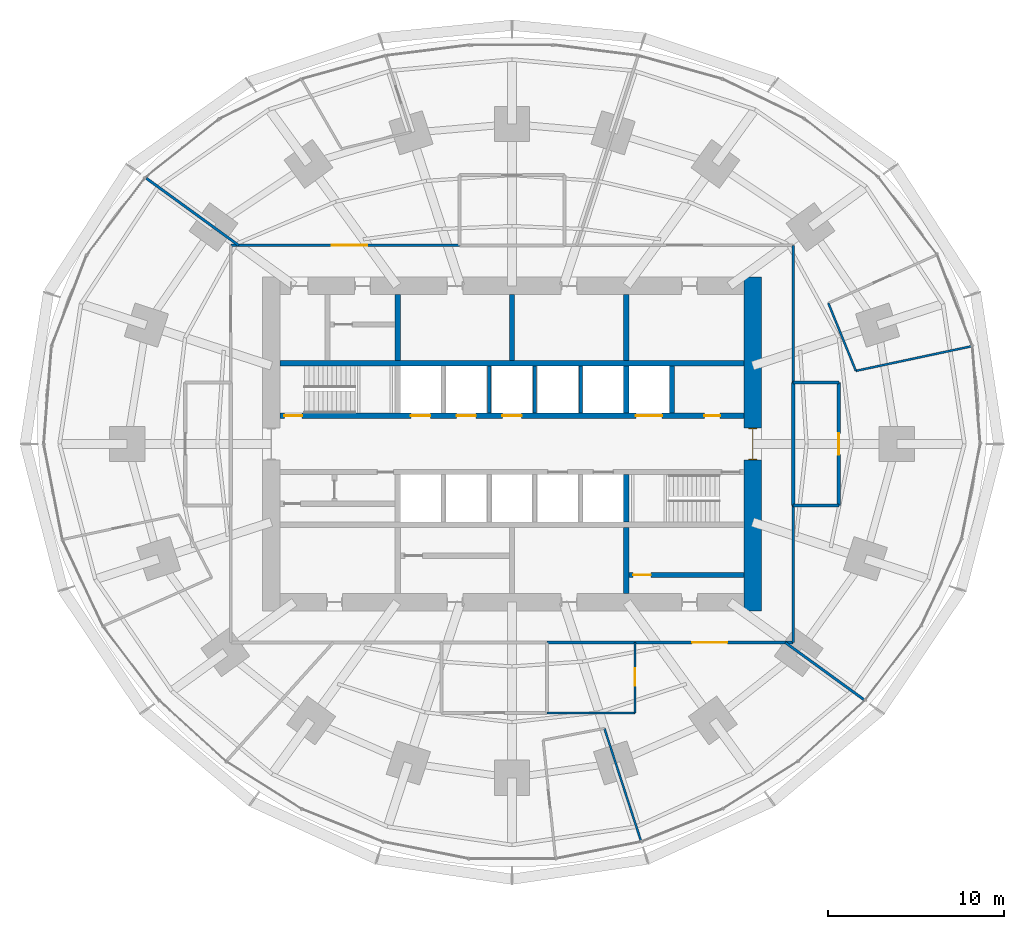
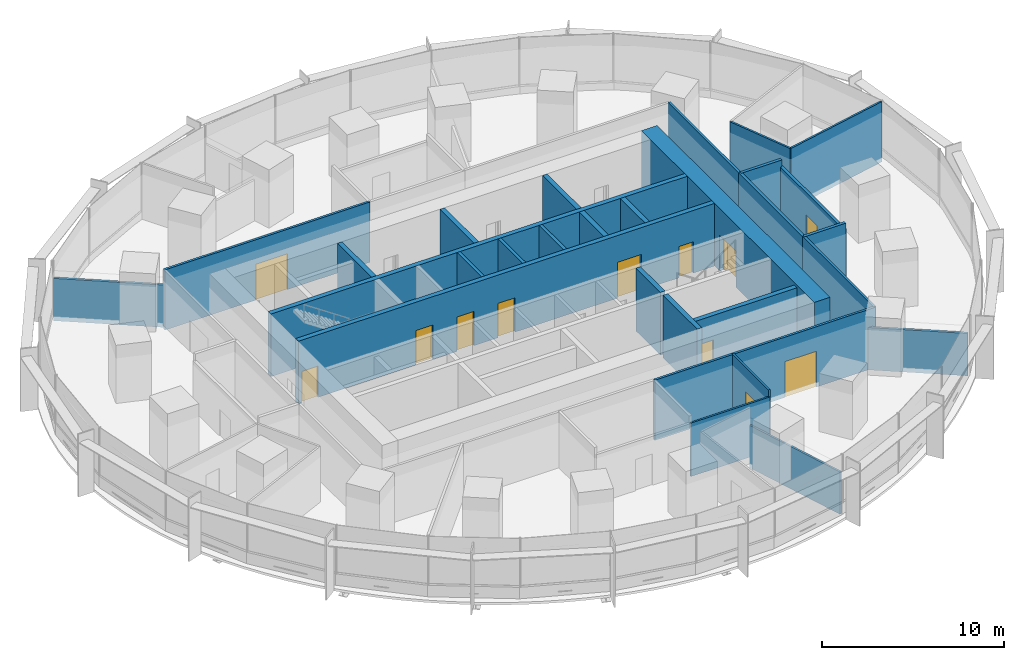
# One storey, part 12 of 15: 29 walls, 12 doors, 12 openings.
"""IFC4 building model written with IfcOpenShell, lengths in metres."""

from ifc_helpers import new_model, si_unit, direction, frame, frame_2d, origin, place, context, subcontext, project, spatial, rectangle, extrude, material, layer, layer_set, type_object, element, fill, save


model = new_model("IFC4")

# Units and contexts
model_context = context("Model", 3, precision=1e-05, world=origin(), true_north=direction((0.0, 1.0)))
body_context = subcontext(model_context, "Body", "Model", "MODEL_VIEW")
ifc_project = project(units=[si_unit("LENGTHUNIT", "METRE"), si_unit("AREAUNIT", "SQUARE_METRE"), si_unit("VOLUMEUNIT", "CUBIC_METRE"), si_unit("PLANEANGLEUNIT", "RADIAN"), si_unit("MASSUNIT", "GRAM", prefix="KILO")], contexts=[model_context])

# Site, building, storey
site_placement = place(None, origin())
site = spatial("IfcSite", under=ifc_project, at=site_placement, CompositionType="ELEMENT")
building_placement = place(site_placement, origin())
building = spatial("IfcBuilding", under=site, at=building_placement, Name="Marramba Exchange Tower", CompositionType="ELEMENT")
storey_placement = place(building_placement, frame((0.0, 0.0, 65.800048828125)))
storey = spatial("IfcBuildingStorey", under=building, at=storey_placement, Name="L15", CompositionType="ELEMENT", Elevation=65.800048828125)

# Walls
ifc_material_1 = material(Name="Concrete N50", Category="concrete")
ifc_layer_1 = layer(ifc_material_1, 0.199951171875)
ifc_layer_set_1 = layer_set([ifc_layer_1], Name="Core shaft wall 200")
wall_type_1 = type_object("IfcWallType", Name="Core shaft wall 200", PredefinedType="SHEAR", material=ifc_layer_set_1)
for number, where, z_axis, x_axis, name in (
    (1, (-1.300048828125, 1.75, 0.0), (0.0, 0.0, 1.0), (0.0, 1.0, 0.0), "Core wall SHN2 L15"),
    (2, (1.300048828125, 1.75, 0.0), (0.0, 0.0, 1.0), (0.0, 1.0, 0.0), "Core wall SHN3 L15"),
    (3, (3.89990234375, 1.75, 0.0), (0.0, 0.0, 1.0), (0.0, 1.0, 0.0), "Core wall SHN4 L15"),
):
    element("IfcWall", number, at=place(storey_placement, frame(where, z_axis=z_axis, x_axis=x_axis)), inside=storey, type_object=wall_type_1, Name=name, PredefinedType="SHEAR", context=body_context, shape_type="SweptSolid", body=[
        extrude(rectangle(XDim=2.699951171875, YDim=0.199951171875, at=frame_2d((1.35009765625, 0.0))), origin(), (0.0, 0.0, 1.0), 4.199951171875),
    ])

# Wall, opening, door
ifc_layer_2 = layer(ifc_material_1, 1.0)
ifc_layer_set_2 = layer_set([ifc_layer_2], Name="Core wall 1000")
wall_type_2 = type_object("IfcWallType", Name="Core wall 1000", PredefinedType="SHEAR", material=ifc_layer_set_2)
wall_1_placement = place(storey_placement, frame((13.699951171875, -9.5, 0.0), z_axis=(0.0, 0.0, 1.0), x_axis=(0.0, 1.0, 0.0)))
wall_1 = element("IfcWall", 4, at=wall_1_placement, inside=storey, type_object=wall_type_2, Name="Core wall E L15", PredefinedType="SHEAR", context=body_context, shape_type="SweptSolid", body=[
    extrude(rectangle(XDim=19.0, YDim=1.0, at=frame_2d((9.5, 0.0))), origin(), (0.0, 0.0, 1.0), 4.199951171875),
])
opening_1_placement = place(wall_1_placement, frame((8.60009765625, 0.0, 0.0)))
opening_1 = element("IfcOpeningElement", 5, at=opening_1_placement, cuts=wall_1, Name="Opening D1", PredefinedType="OPENING", context=body_context, shape_type="SweptSolid", body=[
    extrude(rectangle(XDim=1.800048828125, YDim=2.39990234375, at=frame_2d((0.89990234375, 1.199951171875))), frame((0.0, 0.510009765625, 0.0), z_axis=(0.0, -1.0, 0.0), x_axis=(1.0, 0.0, 0.0)), (0.0, 0.0, 1.0), 1.02001953125),
])
ifc_material_2 = material(Name="Steel-framed door", Category="steel")
door_type_1 = type_object("IfcDoorType", Name="Lobby exit door 1800x2400", OperationType="DOUBLE_DOOR_SINGLE_SWING", PredefinedType="DOOR", material=ifc_material_2)
door_1_placement = place(opening_1_placement, origin())
door_1 = element("IfcDoor", 6, at=door_1_placement, inside=storey, type_object=door_type_1, Name="D1 lobby exit east L15", OperationType="DOUBLE_DOOR_SINGLE_SWING", OverallHeight=2.39990234375, OverallWidth=1.800048828125, PredefinedType="DOOR", context=body_context, shape_type="SweptSolid", body=[
    extrude(rectangle(XDim=1.719970703125, YDim=2.35986328125, at=frame_2d((0.89990234375, 1.179931640625))), frame((0.0, 0.02490234375, 0.0), z_axis=(0.0, -1.0, 0.0), x_axis=(1.0, 0.0, 0.0)), (0.0, 0.0, 1.0), 0.050048828125),
    extrude(rectangle(XDim=0.04, YDim=2.39990234375, at=frame_2d((0.02001953125, 1.199951171875))), frame((0.0, 0.25, 0.0), z_axis=(0.0, -1.0, 0.0), x_axis=(1.0, 0.0, 0.0)), (0.0, 0.0, 1.0), 0.5),
    extrude(rectangle(XDim=0.04, YDim=2.39990234375, at=frame_2d((1.780029296875, 1.199951171875))), frame((0.0, 0.25, 0.0), z_axis=(0.0, -1.0, 0.0), x_axis=(1.0, 0.0, 0.0)), (0.0, 0.0, 1.0), 0.5),
    extrude(rectangle(XDim=1.719970703125, YDim=0.04, at=frame_2d((0.89990234375, 2.3798828125))), frame((0.0, 0.25, 0.0), z_axis=(0.0, -1.0, 0.0), x_axis=(1.0, 0.0, 0.0)), (0.0, 0.0, 1.0), 0.5),
])
fill(opening_1, door_1)

# Wall, openings, doors
ifc_layer_3 = layer(ifc_material_1, 0.300048828125)
ifc_layer_set_3 = layer_set([ifc_layer_3], Name="Core wall 300")
wall_type_3 = type_object("IfcWallType", Name="Core wall 300", PredefinedType="SHEAR", material=ifc_layer_set_3)
wall_2_placement = place(storey_placement, frame((-13.199951171875, 1.60009765625, 0.0), z_axis=(0.0, 0.0, 1.0), x_axis=(1.0, 0.0, 0.0)))
wall_2 = element("IfcWall", 7, at=wall_2_placement, inside=storey, type_object=wall_type_3, Name="Core wall LN L15", PredefinedType="SHEAR", context=body_context, shape_type="SweptSolid", body=[
    extrude(rectangle(XDim=26.39990234375, YDim=0.300048828125, at=frame_2d((13.199951171875, 0.0))), origin(), (0.0, 0.0, 1.0), 4.199951171875),
])
opening_2_placement = place(wall_2_placement, frame((0.25, 0.0, 0.0)))
opening_2 = element("IfcOpeningElement", 8, at=opening_2_placement, cuts=wall_2, Name="Opening D2", PredefinedType="OPENING", context=body_context, shape_type="SweptSolid", body=[
    extrude(rectangle(XDim=1.0, YDim=2.10009765625, at=frame_2d((0.5, 1.050048828125))), frame((0.0, 0.159912109375, 0.0), z_axis=(0.0, -1.0, 0.0), x_axis=(1.0, 0.0, 0.0)), (0.0, 0.0, 1.0), 0.320068359375),
])
opening_3_placement = place(wall_2_placement, frame((20.25, 0.0, 0.0)))
opening_3 = element("IfcOpeningElement", 9, at=opening_3_placement, cuts=wall_2, Name="Opening LD3", PredefinedType="OPENING", context=body_context, shape_type="SweptSolid", body=[
    extrude(rectangle(XDim=1.5, YDim=2.39990234375, at=frame_2d((0.75, 1.199951171875))), frame((0.0, 0.159912109375, 0.0), z_axis=(0.0, -1.0, 0.0), x_axis=(1.0, 0.0, 0.0)), (0.0, 0.0, 1.0), 0.320068359375),
])
opening_4_placement = place(wall_2_placement, frame((7.449951171875, 0.0, 0.0)))
opening_4 = element("IfcOpeningElement", 10, at=opening_4_placement, cuts=wall_2, Name="Opening LD1", PredefinedType="OPENING", context=body_context, shape_type="SweptSolid", body=[
    extrude(rectangle(XDim=1.10009765625, YDim=2.300048828125, at=frame_2d((0.550048828125, 1.14990234375))), frame((0.0, 0.159912109375, 0.0), z_axis=(0.0, -1.0, 0.0), x_axis=(1.0, 0.0, 0.0)), (0.0, 0.0, 1.0), 0.320068359375),
])
opening_5_placement = place(wall_2_placement, frame((10.050048828125, 0.0, 0.0)))
opening_5 = element("IfcOpeningElement", 11, at=opening_5_placement, cuts=wall_2, Name="Opening LD1", PredefinedType="OPENING", context=body_context, shape_type="SweptSolid", body=[
    extrude(rectangle(XDim=1.10009765625, YDim=2.300048828125, at=frame_2d((0.550048828125, 1.14990234375))), frame((0.0, 0.159912109375, 0.0), z_axis=(0.0, -1.0, 0.0), x_axis=(1.0, 0.0, 0.0)), (0.0, 0.0, 1.0), 0.320068359375),
])
opening_6_placement = place(wall_2_placement, frame((12.64990234375, 0.0, 0.0)))
opening_6 = element("IfcOpeningElement", 12, at=opening_6_placement, cuts=wall_2, Name="Opening LD1", PredefinedType="OPENING", context=body_context, shape_type="SweptSolid", body=[
    extrude(rectangle(XDim=1.10009765625, YDim=2.300048828125, at=frame_2d((0.550048828125, 1.14990234375))), frame((0.0, 0.159912109375, 0.0), z_axis=(0.0, -1.0, 0.0), x_axis=(1.0, 0.0, 0.0)), (0.0, 0.0, 1.0), 0.320068359375),
])
opening_7_placement = place(wall_2_placement, frame((24.14990234375, 0.0, 0.0)))
opening_7 = element("IfcOpeningElement", 13, at=opening_7_placement, cuts=wall_2, Name="Opening D5", PredefinedType="OPENING", context=body_context, shape_type="SweptSolid", body=[
    extrude(rectangle(XDim=0.89990234375, YDim=2.10009765625, at=frame_2d((0.449951171875, 1.050048828125))), frame((0.0, 0.159912109375, 0.0), z_axis=(0.0, -1.0, 0.0), x_axis=(1.0, 0.0, 0.0)), (0.0, 0.0, 1.0), 0.320068359375),
])
door_type_2 = type_object("IfcDoorType", Name="Goods lift landing door 1500x2400", OperationType="SLIDING_TO_LEFT", PredefinedType="DOOR", material=ifc_material_2)
door_2_placement = place(opening_3_placement, origin())
door_2 = element("IfcDoor", 14, at=door_2_placement, inside=storey, type_object=door_type_2, Name="GL1 landing door L15", OperationType="SLIDING_TO_LEFT", OverallHeight=2.39990234375, OverallWidth=1.5, PredefinedType="DOOR", context=body_context, shape_type="SweptSolid", body=[
    extrude(rectangle(XDim=1.5, YDim=2.39990234375, at=frame_2d((0.75, 1.199951171875))), frame((0.0, 0.02490234375, 0.0), z_axis=(0.0, -1.0, 0.0), x_axis=(1.0, 0.0, 0.0)), (0.0, 0.0, 1.0), 0.050048828125),
])
fill(opening_3, door_2)
door_type_3 = type_object("IfcDoorType", Name="Lift landing door 1100x2300", OperationType="SLIDING_TO_LEFT", PredefinedType="DOOR", material=ifc_material_2)
door_3_placement = place(opening_4_placement, origin())
door_3 = element("IfcDoor", 15, at=door_3_placement, inside=storey, type_object=door_type_3, Name="LA1 landing door L15", OperationType="SLIDING_TO_LEFT", OverallHeight=2.300048828125, OverallWidth=1.10009765625, PredefinedType="DOOR", context=body_context, shape_type="SweptSolid", body=[
    extrude(rectangle(XDim=1.10009765625, YDim=2.300048828125, at=frame_2d((0.550048828125, 1.14990234375))), frame((0.0, 0.02490234375, 0.0), z_axis=(0.0, -1.0, 0.0), x_axis=(1.0, 0.0, 0.0)), (0.0, 0.0, 1.0), 0.050048828125),
])
fill(opening_4, door_3)
door_4_placement = place(opening_5_placement, origin())
door_4 = element("IfcDoor", 16, at=door_4_placement, inside=storey, type_object=door_type_3, Name="LA2 landing door L15", OperationType="SLIDING_TO_LEFT", OverallHeight=2.300048828125, OverallWidth=1.10009765625, PredefinedType="DOOR", context=body_context, shape_type="SweptSolid", body=[
    extrude(rectangle(XDim=1.10009765625, YDim=2.300048828125, at=frame_2d((0.550048828125, 1.14990234375))), frame((0.0, 0.02490234375, 0.0), z_axis=(0.0, -1.0, 0.0), x_axis=(1.0, 0.0, 0.0)), (0.0, 0.0, 1.0), 0.050048828125),
])
fill(opening_5, door_4)
door_5_placement = place(opening_6_placement, origin())
door_5 = element("IfcDoor", 17, at=door_5_placement, inside=storey, type_object=door_type_3, Name="LA3 landing door L15", OperationType="SLIDING_TO_RIGHT", OverallHeight=2.300048828125, OverallWidth=1.10009765625, PredefinedType="DOOR", context=body_context, shape_type="SweptSolid", body=[
    extrude(rectangle(XDim=1.10009765625, YDim=2.300048828125, at=frame_2d((0.550048828125, 1.14990234375))), frame((0.0, 0.02490234375, 0.0), z_axis=(0.0, -1.0, 0.0), x_axis=(1.0, 0.0, 0.0)), (0.0, 0.0, 1.0), 0.050048828125),
])
fill(opening_6, door_5)
door_type_4 = type_object("IfcDoorType", Name="Service door 900x2100", OperationType="SINGLE_SWING_LEFT", PredefinedType="DOOR", material=ifc_material_2)
door_6_placement = place(opening_7_placement, origin())
door_6 = element("IfcDoor", 18, at=door_6_placement, inside=storey, type_object=door_type_4, Name="D5 riser L15", OperationType="SINGLE_SWING_RIGHT", OverallHeight=2.10009765625, OverallWidth=0.89990234375, PredefinedType="DOOR", context=body_context, shape_type="SweptSolid", body=[
    extrude(rectangle(XDim=0.89990234375, YDim=2.10009765625, at=frame_2d((0.449951171875, 1.050048828125))), frame((0.0, 0.02490234375, 0.0), z_axis=(0.0, -1.0, 0.0), x_axis=(1.0, 0.0, 0.0)), (0.0, 0.0, 1.0), 0.050048828125),
])
fill(opening_7, door_6)
door_type_5 = type_object("IfcDoorType", Name="Stair door 1000x2100", OperationType="SINGLE_SWING_LEFT", PredefinedType="DOOR", material=ifc_material_2)
door_7_placement = place(opening_2_placement, origin())
door_7 = element("IfcDoor", 19, at=door_7_placement, inside=storey, type_object=door_type_5, Name="D2 stair ST1 L15", OperationType="SINGLE_SWING_LEFT", OverallHeight=2.10009765625, OverallWidth=1.0, PredefinedType="DOOR", context=body_context, shape_type="SweptSolid", body=[
    extrude(rectangle(XDim=1.0, YDim=2.10009765625, at=frame_2d((0.5, 1.050048828125))), frame((0.0, 0.02490234375, 0.0), z_axis=(0.0, -1.0, 0.0), x_axis=(1.0, 0.0, 0.0)), (0.0, 0.0, 1.0), 0.050048828125),
])
fill(opening_2, door_7)

# Walls
wall_3_placement = place(storey_placement, frame((-13.199951171875, 4.60009765625, 0.0), z_axis=(0.0, 0.0, 1.0), x_axis=(1.0, 0.0, 0.0)))
element("IfcWall", 20, at=wall_3_placement, inside=storey, type_object=wall_type_3, Name="Core wall BN L15", PredefinedType="SHEAR", context=body_context, shape_type="SweptSolid", body=[
    extrude(rectangle(XDim=26.39990234375, YDim=0.300048828125, at=frame_2d((13.199951171875, 0.0))), origin(), (0.0, 0.0, 1.0), 4.199951171875),
])
wall_4_placement = place(storey_placement, frame((-6.5, 4.75, 0.0), z_axis=(0.0, 0.0, 1.0), x_axis=(0.0, 1.0, 0.0)))
element("IfcWall", 21, at=wall_4_placement, inside=storey, type_object=wall_type_3, Name="Core wall X0Nb L15", PredefinedType="SHEAR", context=body_context, shape_type="SweptSolid", body=[
    extrude(rectangle(XDim=3.75, YDim=0.300048828125, at=frame_2d((1.875, 0.0))), origin(), (0.0, 0.0, 1.0), 4.199951171875),
])
wall_5_placement = place(storey_placement, frame((6.5, 1.75, 0.0), z_axis=(0.0, 0.0, 1.0), x_axis=(0.0, 1.0, 0.0)))
element("IfcWall", 22, at=wall_5_placement, inside=storey, type_object=wall_type_3, Name="Core wall X1Na L15", PredefinedType="SHEAR", context=body_context, shape_type="SweptSolid", body=[
    extrude(rectangle(XDim=2.699951171875, YDim=0.300048828125, at=frame_2d((1.35009765625, 0.0))), origin(), (0.0, 0.0, 1.0), 4.199951171875),
])
for number, where, z_axis, x_axis, name in (
    (23, (6.5, 4.75, 0.0), (0.0, 0.0, 1.0), (0.0, 1.0, 0.0), "Core wall X1Nb L15"),
    (24, (0.0, 4.75, 0.0), (0.0, 0.0, 1.0), (0.0, 1.0, 0.0), "Core wall MN L15"),
):
    element("IfcWall", number, at=place(storey_placement, frame(where, z_axis=z_axis, x_axis=x_axis)), inside=storey, type_object=wall_type_3, Name=name, PredefinedType="SHEAR", context=body_context, shape_type="SweptSolid", body=[
        extrude(rectangle(XDim=3.75, YDim=0.300048828125, at=frame_2d((1.875, 0.0))), origin(), (0.0, 0.0, 1.0), 4.199951171875),
    ])
wall_6_placement = place(storey_placement, frame((6.5, -1.75, 0.0), z_axis=(0.0, 0.0, 1.0), x_axis=(0.0, -1.0, 0.0)))
element("IfcWall", 25, at=wall_6_placement, inside=storey, type_object=wall_type_3, Name="Core wall X1Sa L15", PredefinedType="SHEAR", context=body_context, shape_type="SweptSolid", body=[
    extrude(rectangle(XDim=2.699951171875, YDim=0.300048828125, at=frame_2d((1.35009765625, 0.0))), origin(), (0.0, 0.0, 1.0), 4.199951171875),
])
wall_7_placement = place(storey_placement, frame((6.5, -4.75, 0.0), z_axis=(0.0, 0.0, 1.0), x_axis=(0.0, -1.0, 0.0)))
element("IfcWall", 26, at=wall_7_placement, inside=storey, type_object=wall_type_3, Name="Core wall X1Sb L15", PredefinedType="SHEAR", context=body_context, shape_type="SweptSolid", body=[
    extrude(rectangle(XDim=3.75, YDim=0.300048828125, at=frame_2d((1.875, 0.0))), origin(), (0.0, 0.0, 1.0), 4.199951171875),
])
wall_8_placement = place(storey_placement, frame((9.10009765625, 1.75, 0.0), z_axis=(0.0, 0.0, 1.0), x_axis=(0.0, 1.0, 0.0)))
element("IfcWall", 27, at=wall_8_placement, inside=storey, type_object=wall_type_3, Name="Core wall ED L15", PredefinedType="SHEAR", context=body_context, shape_type="SweptSolid", body=[
    extrude(rectangle(XDim=2.699951171875, YDim=0.300048828125, at=frame_2d((1.35009765625, 0.0))), origin(), (0.0, 0.0, 1.0), 4.199951171875),
])
ifc_material_3 = material(Name="Core-filled concrete blockwork, rendered", Category="masonry")
ifc_layer_4 = layer(ifc_material_3, 0.18994140625)
ifc_layer_set_4 = layer_set([ifc_layer_4], Name="Equipment room wall 190")
wall_type_4 = type_object("IfcWallType", Name="Equipment room wall 190", PredefinedType="SOLIDWALL", material=ifc_layer_set_4)
wall_9_placement = place(storey_placement, frame((16.0, -3.5, 0.0), z_axis=(0.0, 0.0, 1.0), x_axis=(1.0, 0.0, 0.0)))
element("IfcWall", 28, at=wall_9_placement, inside=storey, type_object=wall_type_4, Name="Equipment room wall L15 20", PredefinedType="SOLIDWALL", context=body_context, shape_type="SweptSolid", body=[
    extrude(rectangle(XDim=2.60009765625, YDim=0.18994140625, at=frame_2d((1.300048828125, 0.0))), origin(), (0.0, 0.0, 1.0), 4.0400390625),
])
wall_10_placement = place(storey_placement, frame((16.0, 3.5, 0.0), z_axis=(0.0, 0.0, 1.0), x_axis=(0.0, -1.0, 0.0)))
element("IfcWall", 29, at=wall_10_placement, inside=storey, type_object=wall_type_4, Name="Equipment room wall L15 21", PredefinedType="SOLIDWALL", context=body_context, shape_type="SweptSolid", body=[
    extrude(rectangle(XDim=7.0, YDim=0.18994140625, at=frame_2d((3.5, 0.0))), origin(), (0.0, 0.0, 1.0), 4.0400390625),
])

# Wall, opening, door
wall_11_placement = place(storey_placement, frame((18.60009765625, -3.5, 0.0), z_axis=(0.0, 0.0, 1.0), x_axis=(0.0, 1.0, 0.0)))
wall_11 = element("IfcWall", 30, at=wall_11_placement, inside=storey, type_object=wall_type_4, Name="Equipment room wall L15 22", PredefinedType="SOLIDWALL", context=body_context, shape_type="SweptSolid", body=[
    extrude(rectangle(XDim=7.0, YDim=0.18994140625, at=frame_2d((3.5, 0.0))), origin(), (0.0, 0.0, 1.0), 3.5859375),
])
opening_8_placement = place(wall_11_placement, frame((2.89990234375, 0.0, 0.0)))
opening_8 = element("IfcOpeningElement", 31, at=opening_8_placement, cuts=wall_11, Name="Opening D16", PredefinedType="OPENING", context=body_context, shape_type="SweptSolid", body=[
    extrude(rectangle(XDim=1.199951171875, YDim=2.10009765625, at=frame_2d((0.60009765625, 1.050048828125))), frame((0.0, 0.10498046875, 0.0), z_axis=(0.0, -1.0, 0.0), x_axis=(1.0, 0.0, 0.0)), (0.0, 0.0, 1.0), 0.2099609375),
])
door_type_6 = type_object("IfcDoorType", Name="Equipment room door 1200x2100", OperationType="SINGLE_SWING_LEFT", PredefinedType="DOOR", material=ifc_material_2)
door_8_placement = place(opening_8_placement, origin())
door_8 = element("IfcDoor", 32, at=door_8_placement, inside=storey, type_object=door_type_6, Name="D16 Data Room 1 L15", OperationType="SINGLE_SWING_RIGHT", OverallHeight=2.10009765625, OverallWidth=1.199951171875, PredefinedType="DOOR", context=body_context, shape_type="SweptSolid", body=[
    extrude(rectangle(XDim=1.199951171875, YDim=2.10009765625, at=frame_2d((0.60009765625, 1.050048828125))), frame((0.0, 0.02490234375, 0.0), z_axis=(0.0, -1.0, 0.0), x_axis=(1.0, 0.0, 0.0)), (0.0, 0.0, 1.0), 0.050048828125),
])
fill(opening_8, door_8)

# Walls
wall_12_placement = place(storey_placement, frame((18.60009765625, 3.5, 0.0), z_axis=(0.0, 0.0, 1.0), x_axis=(-1.0, 0.0, 0.0)))
element("IfcWall", 33, at=wall_12_placement, inside=storey, type_object=wall_type_4, Name="Equipment room wall L15 23", PredefinedType="SOLIDWALL", context=body_context, shape_type="SweptSolid", body=[
    extrude(rectangle(XDim=2.60009765625, YDim=0.18994140625, at=frame_2d((1.300048828125, 0.0))), origin(), (0.0, 0.0, 1.0), 4.0400390625),
])
ifc_material_4 = material(Name="Plasterboard on steel studs", Category="steel")
ifc_layer_5 = layer(ifc_material_4, 0.1201171875)
ifc_layer_set_5 = layer_set([ifc_layer_5], Name="Partition 120")
wall_type_5 = type_object("IfcWallType", Name="Partition 120", PredefinedType="PARTITIONING", material=ifc_layer_set_5)
wall_13_placement = place(storey_placement, frame((2.0, -15.300048828125, 0.0), z_axis=(0.0, 0.0, 1.0), x_axis=(1.0, 0.0, 0.0)))
element("IfcWall", 34, at=wall_13_placement, inside=storey, type_object=wall_type_5, Name="Partition L15 14", PredefinedType="PARTITIONING", context=body_context, shape_type="SweptSolid", body=[
    extrude(rectangle(XDim=5.0, YDim=0.1201171875, at=frame_2d((2.5, 0.0))), origin(), (0.0, 0.0, 1.0), 3.5859375),
])
wall_14_placement = place(storey_placement, frame((7.330078125, -22.56005859375, 0.0), z_axis=(0.0, 0.0, 1.0), x_axis=(-0.309003676349, 0.951060843481, 0.0)))
element("IfcWall", 35, at=wall_14_placement, inside=storey, type_object=wall_type_5, Name="Partition L15 15", PredefinedType="PARTITIONING", context=body_context, shape_type="SweptSolid", body=[
    extrude(rectangle(XDim=6.699951171875, YDim=0.1201171875, at=frame_2d((3.35009765625, 0.0))), origin(), (0.0, 0.0, 1.0), 2.83984375),
])

# Wall, opening, door
wall_15_placement = place(storey_placement, frame((7.0, -15.300048828125, 0.0), z_axis=(0.0, 0.0, 1.0), x_axis=(0.0, 1.0, 0.0)))
wall_15 = element("IfcWall", 36, at=wall_15_placement, inside=storey, type_object=wall_type_5, Name="Partition L15 16", PredefinedType="PARTITIONING", context=body_context, shape_type="SweptSolid", body=[
    extrude(rectangle(XDim=4.0, YDim=0.1201171875, at=frame_2d((2.0, 0.0))), origin(), (0.0, 0.0, 1.0), 4.0400390625),
])
opening_9_placement = place(wall_15_placement, frame((1.52587890625, 0.0, 0.0)))
opening_9 = element("IfcOpeningElement", 37, at=opening_9_placement, cuts=wall_15, Name="Opening D9", PredefinedType="OPENING", context=body_context, shape_type="SweptSolid", body=[
    extrude(rectangle(XDim=1.0, YDim=2.39990234375, at=frame_2d((0.5, 1.199951171875))), frame((0.0, 0.070068359375, 0.0), z_axis=(0.0, -1.0, 0.0), x_axis=(1.0, 0.0, 0.0)), (0.0, 0.0, 1.0), 0.14013671875),
])
ifc_material_5 = material(Name="Timber door", Category="wood")
door_type_7 = type_object("IfcDoorType", Name="Room door 1000x2400", OperationType="SINGLE_SWING_LEFT", PredefinedType="DOOR", material=ifc_material_5)
door_9_placement = place(opening_9_placement, origin())
door_9 = element("IfcDoor", 38, at=door_9_placement, inside=storey, type_object=door_type_7, Name="D9 Pantry L15", OperationType="SINGLE_SWING_RIGHT", OverallHeight=2.39990234375, OverallWidth=1.0, PredefinedType="DOOR", context=body_context, shape_type="SweptSolid", body=[
    extrude(rectangle(XDim=1.0, YDim=2.39990234375, at=frame_2d((0.5, 1.199951171875))), frame((0.0, 0.02490234375, 0.0), z_axis=(0.0, -1.0, 0.0), x_axis=(1.0, 0.0, 0.0)), (0.0, 0.0, 1.0), 0.050048828125),
])
fill(opening_9, door_9)

# Walls
wall_16_placement = place(storey_placement, frame((19.569580078125, 4.15966796875, 0.0), z_axis=(0.0, 0.0, 1.0), x_axis=(0.978146625084, 0.207916280835, 0.0)))
element("IfcWall", 39, at=wall_16_placement, inside=storey, type_object=wall_type_5, Name="Partition L15 24", PredefinedType="PARTITIONING", context=body_context, shape_type="SweptSolid", body=[
    extrude(rectangle(XDim=6.7001953125, YDim=0.1201171875, at=frame_2d((3.35009765625, 0.0))), origin(), (0.0, 0.0, 1.0), 4.0400390625),
])
wall_17_placement = place(storey_placement, frame((18.002685546875, 8.015380859375, 0.0), z_axis=(0.0, 0.0, 1.0), x_axis=(0.376482466065, -0.926423743622, 0.0)))
element("IfcWall", 40, at=wall_17_placement, inside=storey, type_object=wall_type_5, Name="Partition L15 25", PredefinedType="PARTITIONING", context=body_context, shape_type="SweptSolid", body=[
    extrude(rectangle(XDim=4.161865234375, YDim=0.1201171875, at=frame_2d((2.0810546875, 0.0))), origin(), (0.0, 0.0, 1.0), 4.0400390625),
])

# Wall, opening, door
ifc_material_6 = material(Name="Plasterboard on steel studs, insulated, unrated", Category="steel")
ifc_layer_6 = layer(ifc_material_6, 0.300048828125)
ifc_layer_set_6 = layer_set([ifc_layer_6], Name="Store partition 300")
wall_type_6 = type_object("IfcWallType", Name="Store partition 300", PredefinedType="PARTITIONING", material=ifc_layer_set_6)
wall_18_placement = place(storey_placement, frame((6.64990234375, -7.4599609375, 0.0), z_axis=(0.0, 0.0, 1.0), x_axis=(1.0, 0.0, 0.0)))
wall_18 = element("IfcWall", 41, at=wall_18_placement, inside=storey, type_object=wall_type_6, Name="Store partition L15 cstore", PredefinedType="PARTITIONING", context=body_context, shape_type="SweptSolid", body=[
    extrude(rectangle(XDim=6.550048828125, YDim=0.300048828125, at=frame_2d((3.27490234375, 0.0))), origin(), (0.0, 0.0, 1.0), 4.0400390625),
])
opening_10_placement = place(wall_18_placement, frame((0.25, 0.0, 0.0)))
opening_10 = element("IfcOpeningElement", 42, at=opening_10_placement, cuts=wall_18, Name="Opening D9", PredefinedType="OPENING", context=body_context, shape_type="SweptSolid", body=[
    extrude(rectangle(XDim=1.0, YDim=2.39990234375, at=frame_2d((0.5, 1.199951171875))), frame((0.0, 0.159912109375, 0.0), z_axis=(0.0, -1.0, 0.0), x_axis=(1.0, 0.0, 0.0)), (0.0, 0.0, 1.0), 0.320068359375),
])
door_10_placement = place(opening_10_placement, frame((1.0, 0.0, 0.0), z_axis=(0.0, 0.0, 1.0), x_axis=(-1.0, 0.0, 0.0)))
door_10 = element("IfcDoor", 43, at=door_10_placement, inside=storey, type_object=door_type_7, Name="D9 general store L15", OperationType="SINGLE_SWING_RIGHT", OverallHeight=2.39990234375, OverallWidth=1.0, PredefinedType="DOOR", context=body_context, shape_type="SweptSolid", body=[
    extrude(rectangle(XDim=1.0, YDim=2.39990234375, at=frame_2d((0.5, 1.199951171875))), frame((0.0, 0.025146484375, 0.0), z_axis=(0.0, -1.0, 0.0), x_axis=(1.0, 0.0, 0.0)), (0.0, 0.0, 1.0), 0.050048828125),
])
fill(opening_10, door_10)

ifc_material_7 = material(Name="Fire-rated plasterboard on steel studs, acoustic insulation", Category="steel")
ifc_layer_7 = layer(ifc_material_7, 0.14990234375)
ifc_layer_set_7 = layer_set([ifc_layer_7], Name="Tenancy wall 150")
wall_type_7 = type_object("IfcWallType", Name="Tenancy wall 150", PredefinedType="PARTITIONING", material=ifc_layer_set_7)
wall_19_placement = place(storey_placement, frame((2.0, -11.300048828125, 0.0), z_axis=(0.0, 0.0, 1.0), x_axis=(1.0, 0.0, 0.0)))
wall_19 = element("IfcWall", 44, at=wall_19_placement, inside=storey, type_object=wall_type_7, Name="Tenancy wall L15 17", PredefinedType="PARTITIONING", context=body_context, shape_type="SweptSolid", body=[
    extrude(rectangle(XDim=14.0, YDim=0.14990234375, at=frame_2d((7.0, 0.0))), origin(), (0.0, 0.0, 1.0), 4.0400390625),
])
opening_11_placement = place(wall_19_placement, frame((8.251953125, 0.0, 0.0)))
opening_11 = element("IfcOpeningElement", 45, at=opening_11_placement, cuts=wall_19, Name="Opening D17", PredefinedType="OPENING", context=body_context, shape_type="SweptSolid", body=[
    extrude(rectangle(XDim=2.0, YDim=2.39990234375, at=frame_2d((1.0, 1.199951171875))), frame((0.0, 0.0849609375, 0.0), z_axis=(0.0, -1.0, 0.0), x_axis=(1.0, 0.0, 0.0)), (0.0, 0.0, 1.0), 0.169921875),
])
door_type_8 = type_object("IfcDoorType", Name="Trading floor entry door pair 2000x2400", OperationType="DOUBLE_DOOR_SINGLE_SWING", PredefinedType="DOOR", material=ifc_material_2)
door_11_placement = place(opening_11_placement, origin())
door_11 = element("IfcDoor", 46, at=door_11_placement, inside=storey, type_object=door_type_8, Name="D17 Trading Floor 3 L15", OperationType="DOUBLE_DOOR_SINGLE_SWING", OverallHeight=2.39990234375, OverallWidth=2.0, PredefinedType="DOOR", context=body_context, shape_type="SweptSolid", body=[
    extrude(rectangle(XDim=2.0, YDim=2.39990234375, at=frame_2d((1.0, 1.199951171875))), frame((0.0, 0.02490234375, 0.0), z_axis=(0.0, -1.0, 0.0), x_axis=(1.0, 0.0, 0.0)), (0.0, 0.0, 1.0), 0.050048828125),
])
fill(opening_11, door_11)

# Walls
wall_20_placement = place(storey_placement, frame((15.552978515625, -11.300048828125, 0.0), z_axis=(0.0, 0.0, 1.0), x_axis=(0.809032304237, -0.587764179499, 0.0)))
element("IfcWall", 47, at=wall_20_placement, inside=storey, type_object=wall_type_7, Name="Tenancy wall L15 18", PredefinedType="PARTITIONING", context=body_context, shape_type="SweptSolid", body=[
    extrude(rectangle(XDim=5.5224609375, YDim=0.14990234375, at=frame_2d((2.76123046875, 0.0))), origin(), (0.0, 0.0, 1.0), 2.83984375),
])
for number, where, z_axis, x_axis, name in (
    (48, (16.0, -11.300048828125, 0.0), (0.0, 0.0, 1.0), (0.0, 1.0, 0.0), "Tenancy wall L15 19"),
    (49, (16.0, 3.5, 0.0), (0.0, 0.0, 1.0), (0.0, 1.0, 0.0), "Tenancy wall L15 27"),
):
    element("IfcWall", number, at=place(storey_placement, frame(where, z_axis=z_axis, x_axis=x_axis)), inside=storey, type_object=wall_type_7, Name=name, PredefinedType="PARTITIONING", context=body_context, shape_type="SweptSolid", body=[
        extrude(rectangle(XDim=7.800048828125, YDim=0.14990234375, at=frame_2d((3.89990234375, 0.0))), origin(), (0.0, 0.0, 1.0), 4.0400390625),
    ])

# Wall, opening, door
wall_21_placement = place(storey_placement, frame((-3.0, 11.300048828125, 0.0), z_axis=(0.0, 0.0, 1.0), x_axis=(-1.0, 0.0, 0.0)))
wall_21 = element("IfcWall", 50, at=wall_21_placement, inside=storey, type_object=wall_type_7, Name="Tenancy wall L15 37", PredefinedType="PARTITIONING", context=body_context, shape_type="SweptSolid", body=[
    extrude(rectangle(XDim=13.0, YDim=0.14990234375, at=frame_2d((6.5, 0.0))), origin(), (0.0, 0.0, 1.0), 4.0400390625),
])
opening_12_placement = place(wall_21_placement, frame((5.251953125, 0.0, 0.0)))
opening_12 = element("IfcOpeningElement", 51, at=opening_12_placement, cuts=wall_21, Name="Opening D17", PredefinedType="OPENING", context=body_context, shape_type="SweptSolid", body=[
    extrude(rectangle(XDim=2.0, YDim=2.39990234375, at=frame_2d((1.0, 1.199951171875))), frame((0.0, 0.0849609375, 0.0), z_axis=(0.0, -1.0, 0.0), x_axis=(1.0, 0.0, 0.0)), (0.0, 0.0, 1.0), 0.169921875),
])
door_12_placement = place(opening_12_placement, origin())
door_12 = element("IfcDoor", 52, at=door_12_placement, inside=storey, type_object=door_type_8, Name="D17 Trading Floor 1 L15", OperationType="DOUBLE_DOOR_SINGLE_SWING", OverallHeight=2.39990234375, OverallWidth=2.0, PredefinedType="DOOR", context=body_context, shape_type="SweptSolid", body=[
    extrude(rectangle(XDim=2.0, YDim=2.39990234375, at=frame_2d((1.0, 1.199951171875))), frame((0.0, 0.02490234375, 0.0), z_axis=(0.0, -1.0, 0.0), x_axis=(1.0, 0.0, 0.0)), (0.0, 0.0, 1.0), 0.050048828125),
])
fill(opening_12, door_12)

# Wall
wall_22_placement = place(storey_placement, frame((-15.552978515625, 11.300048828125, 0.0), z_axis=(0.0, 0.0, 1.0), x_axis=(-0.809031640451, 0.58776509317, 0.0)))
element("IfcWall", 53, at=wall_22_placement, inside=storey, type_object=wall_type_7, Name="Tenancy wall L15 38", PredefinedType="PARTITIONING", context=body_context, shape_type="SweptSolid", body=[
    extrude(rectangle(XDim=6.498779296875, YDim=0.14990234375, at=frame_2d((3.24951171875, 0.0))), origin(), (0.0, 0.0, 1.0), 2.83984375),
])

save(model, "model.ifc")
